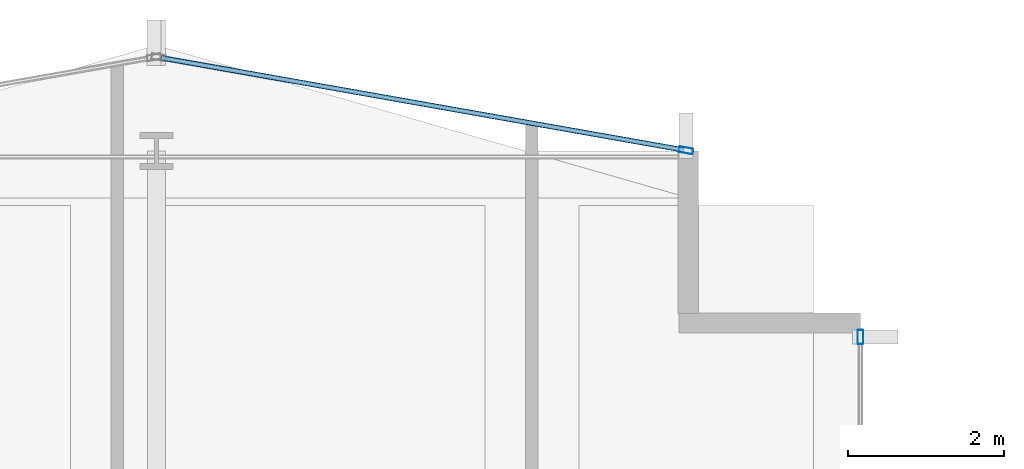
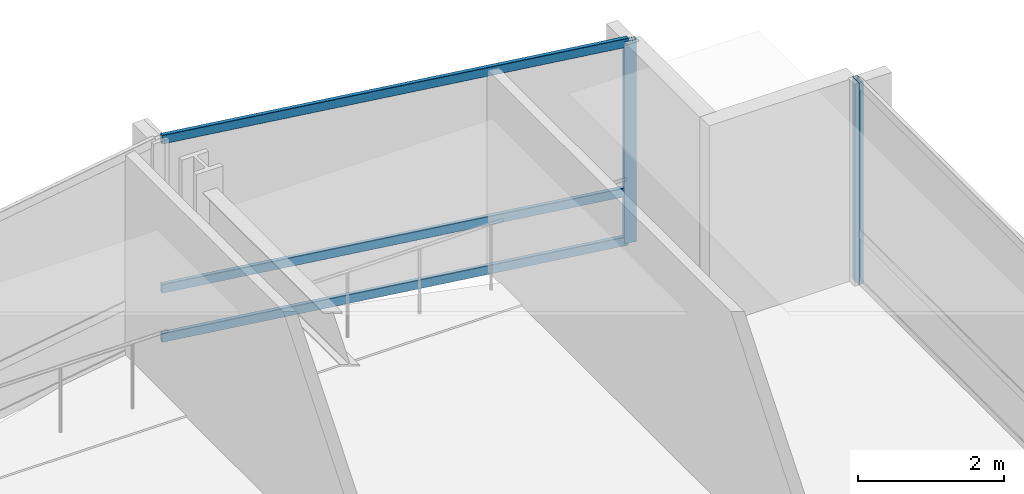
# One storey, part 24 of 34: 5 members, 2 elements without a shape of their own.
"""IFC4 building model written with IfcOpenShell, lengths in metres."""

import ifcopenshell
import ifcopenshell.guid

model = None  # the IFC model being written
_history = None  # IfcOwnerHistory: only IFC2X3 demands one
_inside = {}  # id of a spatial element -> (the spatial element, [elements in it])
_under = {}  # id of a project, library or spatial element -> (it, [spatial elements below it])
_declared = {}  # id of a project -> (the project, [libraries it declares])
_typed = {}  # id of a type object -> (the type object, [elements of that type])
_made_of = {}  # id of a material, layer set ... -> (it, [elements and type objects made of it])


def new_model(schema):
    """Start an empty IFC model of exactly this schema.

    Asked for "IFC4X3", IfcOpenShell would pick the latest addendum, in which some entities
    have other attributes; the version numbers below select the first issue.
    IFC2X3 requires an IfcOwnerHistory on every rooted entity: one is made here for all.
    """
    global model, _history
    if schema == "IFC4X3":
        model = ifcopenshell.file(schema_version=(4, 3, 0, 0))
    else:
        model = ifcopenshell.file(schema=schema)
    _inside.clear()
    _under.clear()
    _declared.clear()
    _typed.clear()
    _made_of.clear()
    _history = None
    if model.schema == "IFC2X3":
        org = make("IfcOrganization", Name="unknown")
        user = make(
            "IfcPersonAndOrganization",
            ThePerson=make("IfcPerson", FamilyName="unknown"),
            TheOrganization=org,
        )
        app = make(
            "IfcApplication",
            ApplicationDeveloper=org,
            Version="unknown",
            ApplicationFullName="unknown",
            ApplicationIdentifier="unknown",
        )
        _history = make(
            "IfcOwnerHistory",
            OwningUser=user,
            OwningApplication=app,
            ChangeAction="ADDED",
            CreationDate=0,
        )
    return model


def make(cls, **values):
    """One entity of the class cls with the attributes given. An attribute that is None is left unset."""
    return model.create_entity(
        cls, **{name: value for name, value in values.items() if value is not None}
    )


def rooted(cls, **values):
    """An entity with a GlobalId (a new one), such as an element, a storey or a relation."""
    return make(cls, GlobalId=ifcopenshell.guid.new(), OwnerHistory=_history, **values)


def si_unit(unit_type, name, prefix=None):
    """IfcSIUnit, for example si_unit("LENGTHUNIT", "METRE", prefix="MILLI")."""
    return make("IfcSIUnit", UnitType=unit_type, Prefix=prefix, Name=name)


def assignment(units):
    """IfcUnitAssignment: the units of a project."""
    return None if units is None else make("IfcUnitAssignment", Units=units)


def point(xyz):
    """IfcCartesianPoint."""
    return None if xyz is None else make("IfcCartesianPoint", Coordinates=xyz)


def direction(xyz):
    """IfcDirection."""
    return None if xyz is None else make("IfcDirection", DirectionRatios=xyz)


def frame(location, z_axis=None, x_axis=None):
    """IfcAxis2Placement3D, a coordinate frame: its origin and axes. An axis left out is left unset."""
    return make(
        "IfcAxis2Placement3D",
        Location=point(location),
        Axis=direction(z_axis),
        RefDirection=direction(x_axis),
    )


def frame_2d(location, x_axis=None):
    """IfcAxis2Placement2D, a coordinate frame in the plane: its origin and x axis."""
    return make(
        "IfcAxis2Placement2D", Location=point(location), RefDirection=direction(x_axis)
    )


def origin():
    """The frame at (0, 0, 0) with its axes left unset."""
    return frame((0.0, 0.0, 0.0))


def origin_2d():
    """The frame at (0, 0) in the plane with its x axis left unset."""
    return frame_2d((0.0, 0.0))


def place(relative_to, where):
    """IfcLocalPlacement: puts the frame where relative to a parent placement (None: the world)."""
    return make(
        "IfcLocalPlacement", PlacementRelTo=relative_to, RelativePlacement=where
    )


def context(
    kind, dimensions, precision=None, world=None, true_north=None, identifier=None
):
    """IfcGeometricRepresentationContext, for example the 3D "Model" context."""
    return make(
        "IfcGeometricRepresentationContext",
        ContextIdentifier=identifier,
        ContextType=kind,
        CoordinateSpaceDimension=dimensions,
        Precision=precision,
        WorldCoordinateSystem=world,
        TrueNorth=true_north,
    )


def subcontext(parent, identifier, kind, view, scale=None):
    """IfcGeometricRepresentationSubContext, for example "Body" below "Model"."""
    return make(
        "IfcGeometricRepresentationSubContext",
        ContextIdentifier=identifier,
        ContextType=kind,
        ParentContext=parent,
        TargetScale=scale,
        TargetView=view,
    )


def project(units=None, contexts=None):
    """IfcProject with its units and contexts."""
    return rooted(
        "IfcProject",
        Name="project",
        RepresentationContexts=contexts,
        UnitsInContext=assignment(units),
    )


def spatial(cls, under=None, at=None, **own):
    """A site, building, storey or space (cls), placed at a placement, below another one or the project."""
    s = rooted(cls, ObjectPlacement=at, **own)
    if under is not None:
        _under.setdefault(under.id(), (under, []))[1].append(s)
    return s


def profile(cls, at=None, kind="AREA", **sizes):
    """A parametric profile (cls). Its sizes go by their IFC names, for example OverallWidth=200.0."""
    return make(cls, ProfileType=kind, Position=at, **sizes)


def hollow_rectangle(**sizes):
    """IfcRectangleHollowProfileDef."""
    return profile("IfcRectangleHollowProfileDef", **sizes)


def extrude(swept, where, along, depth):
    """IfcExtrudedAreaSolid: the profile swept, set in the frame where, extruded along a direction by depth."""
    return make(
        "IfcExtrudedAreaSolid",
        SweptArea=swept,
        Position=where,
        ExtrudedDirection=direction(along),
        Depth=depth,
    )


def shape(context_of_items, identifier, shape_type, items):
    """IfcShapeRepresentation: the items that make up one representation, for example the "Body"."""
    return make(
        "IfcShapeRepresentation",
        ContextOfItems=context_of_items,
        RepresentationIdentifier=identifier,
        RepresentationType=shape_type,
        Items=items,
    )


def material(Name=None, Category=None):
    """IfcMaterial."""
    return make("IfcMaterial", Name=Name, Category=Category)


def layer(
    of_material, thickness, ventilated=None, Name=None, Category=None, Priority=None
):
    """IfcMaterialLayer: one layer of a wall or slab, of a material (None: an air gap)."""
    return make(
        "IfcMaterialLayer",
        Material=of_material,
        LayerThickness=thickness,
        IsVentilated=ventilated,
        Name=Name,
        Category=Category,
        Priority=Priority,
    )


def layer_set(layers, Name=None):
    """IfcMaterialLayerSet."""
    return make("IfcMaterialLayerSet", MaterialLayers=layers, LayerSetName=Name)


def material_profile(
    of_material, cross_section, Name=None, Category=None, Priority=None
):
    """IfcMaterialProfile: a cross section and its material."""
    return make(
        "IfcMaterialProfile",
        Name=Name,
        Material=of_material,
        Profile=cross_section,
        Priority=Priority,
        Category=Category,
    )


def profile_set(profiles, Name=None, composite=None):
    """IfcMaterialProfileSet."""
    return make(
        "IfcMaterialProfileSet",
        Name=Name,
        MaterialProfiles=profiles,
        CompositeProfile=composite,
    )


def made_of(thing, what):
    """Note that an element or type object is made of a material, layer set ...; save() writes the relation."""
    if what is not None:
        _made_of.setdefault(what.id(), (what, []))[1].append(thing)
    return thing


def type_object(cls, material=None, **own):
    """A type object (cls), such as IfcWallType, which elements share."""
    return made_of(rooted(cls, **own), material)


def element(
    cls,
    number,
    at=None,
    inside=None,
    cuts=None,
    type_object=None,
    material=None,
    context=None,
    identifier="Body",
    shape_type=None,
    held_by="IfcProductDefinitionShape",
    body=None,
    shapes=None,
    **own,
):
    """One element of the class cls, such as IfcWall. Its Tag is "e" and its number.

    at: its placement. inside: the storey or other place that contains it. cuts: it is an
    opening in that element (IfcRelVoidsElement). A single representation is given by context,
    identifier, shape_type and body (its items); several are given by shapes. held_by: the class
    of the entity that holds the representations. save() writes the other relations.
    """
    e = rooted(cls, Tag="e%d" % number, ObjectPlacement=at, **own)
    if body is not None:
        shapes = [shape(context, identifier, shape_type, body)]
    if shapes is not None:
        e.Representation = make(held_by, Representations=shapes)
    if inside is not None:
        _inside.setdefault(inside.id(), (inside, []))[1].append(e)
    if cuts is not None:
        rooted(
            "IfcRelVoidsElement", RelatingBuildingElement=cuts, RelatedOpeningElement=e
        )
    if type_object is not None:
        _typed.setdefault(type_object.id(), (type_object, []))[1].append(e)
    return made_of(e, material)


def aggregate(whole, parts):
    """IfcRelAggregates: a whole, such as a stair, and the parts it consists of."""
    return rooted("IfcRelAggregates", RelatingObject=whole, RelatedObjects=parts)


def save(model, path):
    """Write the relations noted so far, then the file.

    IfcRelAggregates (storeys below a building ...), IfcRelContainedInSpatialStructure (elements
    in a storey), IfcRelDefinesByType, IfcRelAssociatesMaterial and IfcRelDeclares: one each for
    every whole, place, type object, material and project.
    """
    for whole, parts in _under.values():
        aggregate(whole, parts)
    for where, things in _inside.values():
        rooted(
            "IfcRelContainedInSpatialStructure",
            RelatedElements=things,
            RelatingStructure=where,
        )
    for kind, things in _typed.values():
        rooted("IfcRelDefinesByType", RelatedObjects=things, RelatingType=kind)
    for what, things in _made_of.values():
        rooted("IfcRelAssociatesMaterial", RelatedObjects=things, RelatingMaterial=what)
    for by, libraries in _declared.values():
        rooted("IfcRelDeclares", RelatingContext=by, RelatedDefinitions=libraries)
    model.write(path)


model = new_model("IFC4")

# Units and contexts
model_context = context("Model", 3, precision=1e-05, world=origin(), true_north=direction((0.0, 1.0)))
body_context = subcontext(model_context, "Body", "Model", "MODEL_VIEW")
ifc_project = project(units=[si_unit("LENGTHUNIT", "METRE"), si_unit("AREAUNIT", "SQUARE_METRE"), si_unit("VOLUMEUNIT", "CUBIC_METRE"), si_unit("PLANEANGLEUNIT", "RADIAN"), si_unit("MASSUNIT", "GRAM", prefix="KILO")], contexts=[model_context])

# Site, building, storey
site_placement = place(None, origin())
site = spatial("IfcSite", under=ifc_project, at=site_placement, CompositionType="ELEMENT")
building_placement = place(site_placement, origin())
building = spatial("IfcBuilding", under=site, at=building_placement, Name="Solvaryn Broadcast Tower", CompositionType="ELEMENT")
storey_placement = place(building_placement, frame((0.0, 0.0, 96.5)))
storey = spatial("IfcBuildingStorey", under=building, at=storey_placement, Name="L23", CompositionType="ELEMENT", Elevation=96.5)

# Curtain wall, member
ifc_material_1 = material(Name="Aluminium and Terracotta Unitised Curtain Wall", Category="masonry")
ifc_layer = layer(ifc_material_1, 0.199951171875)
ifc_layer_set = layer_set([ifc_layer], Name="CW-SYS2-LOWMID")
curtain_wall_type = type_object("IfcCurtainWallType", Name="CW-SYS2-LOWMID", PredefinedType="NOTDEFINED", material=ifc_layer_set)
curtain_wall_1_placement = place(storey_placement, origin())
curtain_wall_1 = element("IfcCurtainWall", 1, at=curtain_wall_1_placement, inside=storey, type_object=curtain_wall_type, Name="L23 Curtain Wall IV", PredefinedType="NOTDEFINED")
ifc_material_2 = material(Name="Anodised Aluminium 6063-T6", Category="aluminium")
ifc_material_profile_1 = material_profile(ifc_material_2, hollow_rectangle(XDim=0.074951171875, YDim=0.179931640625, WallThickness=0.00390625, InnerFilletRadius=0.00390625, OuterFilletRadius=0.008056640625, at=origin_2d()))
ifc_profile_set_1 = profile_set([ifc_material_profile_1], Name="Anodised Aluminium 6063-T6")
member_type_1 = type_object("IfcMemberType", Name="CW-MUL-180", PredefinedType="MULLION", material=ifc_profile_set_1)
member_1_placement = place(storey_placement, frame((27.0, 51.6201171875, 0.0), z_axis=(0.0, 0.0, 1.0), x_axis=(1.0, 0.0, 0.0)))
member_1 = element("IfcMember", 2, at=member_1_placement, type_object=member_type_1, Name="CWS2 mullion 1", PredefinedType="MULLION", context=body_context, shape_type="SweptSolid", body=[
    extrude(hollow_rectangle(XDim=0.074951171875, YDim=0.179931640625, WallThickness=0.00390625, InnerFilletRadius=0.00390625, OuterFilletRadius=0.008056640625, at=origin_2d()), origin(), (0.0, 0.0, 1.0), 3.3701171875),
])
aggregate(curtain_wall_1, [member_1])

# Curtain wall, members
curtain_wall_2_placement = place(storey_placement, origin())
curtain_wall_2 = element("IfcCurtainWall", 3, at=curtain_wall_2_placement, inside=storey, type_object=curtain_wall_type, Name="L23 Curtain Wall NT1", PredefinedType="NOTDEFINED")
member_2_placement = place(storey_placement, frame((24.7705078125, 54.005126953125, 0.0), z_axis=(0.0, 0.0, 1.0), x_axis=(-0.173785333901, -0.984783558819, 0.0)))
member_2 = element("IfcMember", 4, at=member_2_placement, type_object=member_type_1, Name="CWS2 mullion 1", PredefinedType="MULLION", context=body_context, shape_type="SweptSolid", body=[
    extrude(hollow_rectangle(XDim=0.074951171875, YDim=0.179931640625, WallThickness=0.00390625, InnerFilletRadius=0.00390625, OuterFilletRadius=0.008056640625, at=origin_2d()), origin(), (0.0, 0.0, 1.0), 3.3701171875),
])
ifc_material_3 = material(Name="Anodised Aluminium 6063-T6", Category="aluminium")
ifc_material_profile_2 = material_profile(ifc_material_3, hollow_rectangle(XDim=0.06494140625, YDim=0.14990234375, WallThickness=0.00390625, InnerFilletRadius=0.00390625, OuterFilletRadius=0.008056640625, at=origin_2d()))
ifc_profile_set_2 = profile_set([ifc_material_profile_2], Name="Anodised Aluminium 6063-T6")
member_type_2 = type_object("IfcMemberType", Name="CW-TRN-150", PredefinedType="USERDEFINED", material=ifc_profile_set_2)
member_3_placement = place(storey_placement, frame((24.740966796875, 54.010498046875, 0.030029296875), z_axis=(-0.984788629673, 0.173756596613, 0.0), x_axis=(-0.173756596613, -0.984788629673, 0.0)))
member_3 = element("IfcMember", 5, at=member_3_placement, type_object=member_type_2, Name="CWS2 transom 1.1", ObjectType="TRANSOM", PredefinedType="USERDEFINED", context=body_context, shape_type="SweptSolid", body=[
    extrude(hollow_rectangle(XDim=0.06494140625, YDim=0.14990234375, WallThickness=0.00390625, InnerFilletRadius=0.00390625, OuterFilletRadius=0.008056640625, at=origin_2d()), origin(), (0.0, 0.0, 1.0), 6.78515625),
])
member_4_placement = place(storey_placement, frame((24.740966796875, 54.010498046875, 0.85009765625), z_axis=(-0.984788629673, 0.173756596613, 0.0), x_axis=(-0.173756596613, -0.984788629673, 0.0)))
member_4 = element("IfcMember", 6, at=member_4_placement, type_object=member_type_2, Name="CWS2 transom 1.2", ObjectType="TRANSOM", PredefinedType="USERDEFINED", context=body_context, shape_type="SweptSolid", body=[
    extrude(hollow_rectangle(XDim=0.06494140625, YDim=0.14990234375, WallThickness=0.00390625, InnerFilletRadius=0.00390625, OuterFilletRadius=0.008056640625, at=origin_2d()), origin(), (0.0, 0.0, 1.0), 6.78515625),
])
member_5_placement = place(storey_placement, frame((24.740966796875, 54.010498046875, 3.340087890625), z_axis=(-0.984788629673, 0.173756596613, 0.0), x_axis=(-0.173756596613, -0.984788629673, 0.0)))
member_5 = element("IfcMember", 7, at=member_5_placement, type_object=member_type_2, Name="CWS2 transom 1.3", ObjectType="TRANSOM", PredefinedType="USERDEFINED", context=body_context, shape_type="SweptSolid", body=[
    extrude(hollow_rectangle(XDim=0.06494140625, YDim=0.14990234375, WallThickness=0.00390625, InnerFilletRadius=0.00390625, OuterFilletRadius=0.008056640625, at=origin_2d()), origin(), (0.0, 0.0, 1.0), 6.78515625),
])
aggregate(curtain_wall_2, [member_2, member_3, member_4, member_5])

save(model, "model.ifc")
